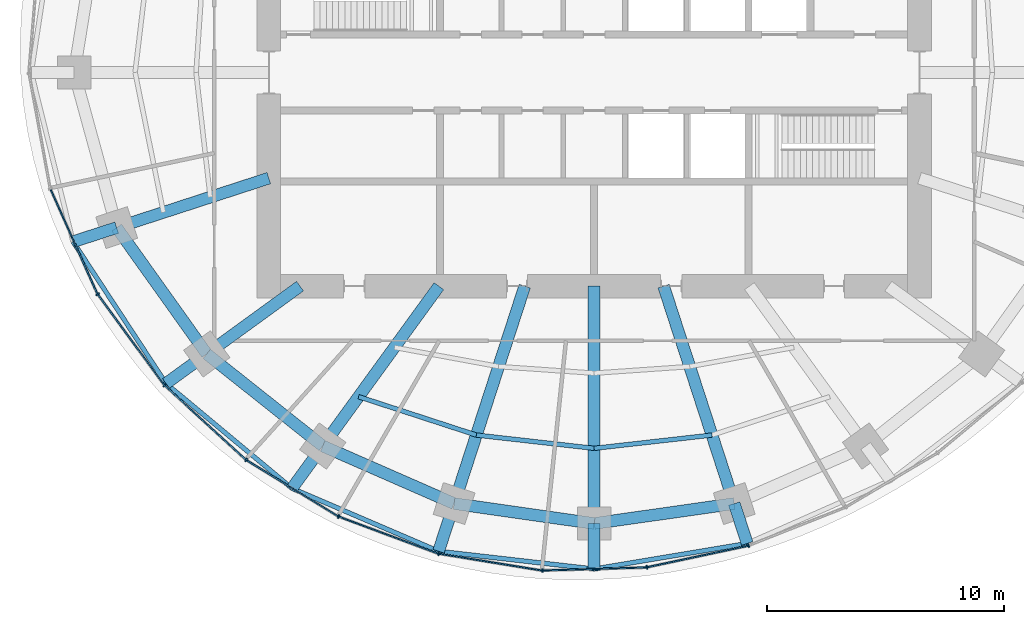
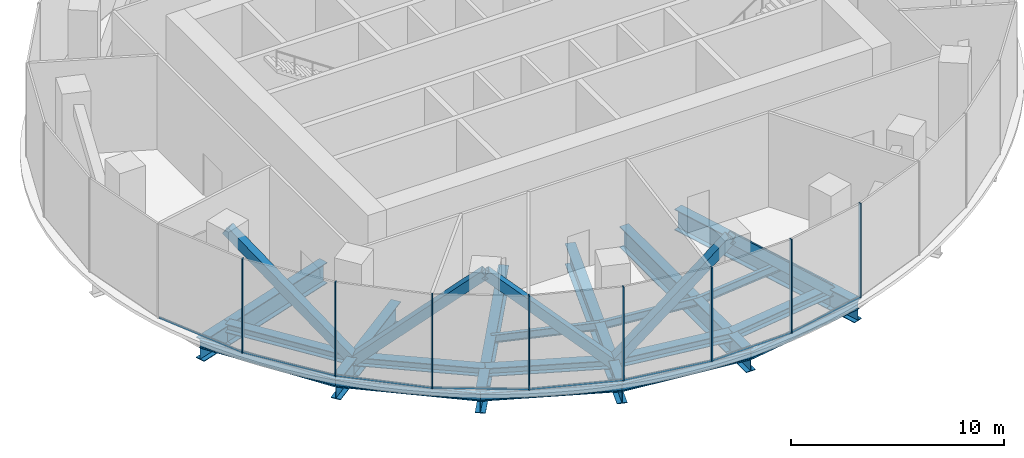
# One storey, part 2 of 13: 26 members, 20 beams, 2 elements without a shape of their own.
"""IFC4 building model written with IfcOpenShell, lengths in metres."""

from ifc_helpers import new_model, si_unit, direction, frame, origin, origin_2d, place, context, subcontext, project, spatial, rectangle, hollow_rectangle, i_section, extrude, material, material_profile, profile_set, type_object, element, aggregate, save


model = new_model("IFC4")

# Units and contexts
model_context = context("Model", 3, precision=1e-05, world=origin(), true_north=direction((0.0, 1.0)))
body_context = subcontext(model_context, "Body", "Model", "MODEL_VIEW")
ifc_project = project(units=[si_unit("LENGTHUNIT", "METRE"), si_unit("AREAUNIT", "SQUARE_METRE"), si_unit("VOLUMEUNIT", "CUBIC_METRE"), si_unit("PLANEANGLEUNIT", "RADIAN"), si_unit("MASSUNIT", "GRAM", prefix="KILO")], contexts=[model_context])

# Site, building, storey
site_placement = place(None, origin())
site = spatial("IfcSite", under=ifc_project, at=site_placement, CompositionType="ELEMENT")
building_placement = place(site_placement, origin())
building = spatial("IfcBuilding", under=site, at=building_placement, Name="Marramba Exchange Tower", CompositionType="ELEMENT")
storey_placement = place(building_placement, frame((0.0, 0.0, 246.199951171875)))
storey = spatial("IfcBuildingStorey", under=building, at=storey_placement, Name="L60", CompositionType="ELEMENT", Elevation=246.199951171875)

# Members
ifc_material_1 = material(Name="Steel AS/NZS 3679.2 grade 300", Category="steel")
ifc_material_profile_1 = material_profile(ifc_material_1, i_section(OverallWidth=0.5, OverallDepth=0.48388671875, WebThickness=0.02490234375, FlangeThickness=0.031982421875, at=origin_2d()), Name="500WC340")
ifc_profile_set_1 = profile_set([ifc_material_profile_1], Name="Steel AS/NZS 3679.2 grade 300")
member_type_1 = type_object("IfcMemberType", Name="Belt truss chord 500WC340", PredefinedType="CHORD", material=ifc_profile_set_1)
member_1_placement = place(storey_placement, frame((-20.109375, -6.533935546875, -0.44189453125), z_axis=(0.580637181111, -0.814162430914, 0.0), x_axis=(0.814162430914, 0.580637181111, 0.0)))
element("IfcMember", 1, at=member_1_placement, inside=storey, type_object=member_type_1, Name="Belt chord L60 TC12-TC13", PredefinedType="CHORD", context=body_context, shape_type="SweptSolid", body=[
    extrude(i_section(OverallWidth=0.5, OverallDepth=0.48388671875, WebThickness=0.02490234375, FlangeThickness=0.031982421875, at=origin_2d()), origin(), (0.0, 0.0, 1.0), 6.5341796875),
])
member_2_placement = place(storey_placement, frame((-16.3154296875, -11.853759765625, -0.44189453125), z_axis=(0.783139438128, -0.621846138887, 0.0), x_axis=(0.621846138887, 0.783139438128, 0.0)))
element("IfcMember", 2, at=member_2_placement, inside=storey, type_object=member_type_1, Name="Belt chord L60 TC13-TC14", PredefinedType="CHORD", context=body_context, shape_type="SweptSolid", body=[
    extrude(i_section(OverallWidth=0.5, OverallDepth=0.48388671875, WebThickness=0.02490234375, FlangeThickness=0.031982421875, at=origin_2d()), origin(), (0.0, 0.0, 1.0), 6.23779296875),
])
member_3_placement = place(storey_placement, frame((-11.430419921875, -15.732666015625, -0.44189453125), z_axis=(0.915876892158, -0.4014592363, 0.0), x_axis=(0.4014592363, 0.915876892158, 0.0)))
element("IfcMember", 3, at=member_3_placement, inside=storey, type_object=member_type_1, Name="Belt chord L60 TC14-TC15", PredefinedType="CHORD", context=body_context, shape_type="SweptSolid", body=[
    extrude(i_section(OverallWidth=0.5, OverallDepth=0.48388671875, WebThickness=0.02490234375, FlangeThickness=0.031982421875, at=origin_2d()), origin(), (0.0, 0.0, 1.0), 6.038818359375),
])
for number, where, z_axis, x_axis, name in (
    (4, (-5.899658203125, -18.156982421875, -0.44189453125), (0.990036163016, -0.140813337152, 0.0), (0.140813337152, 0.990036163016, 0.0), "Belt chord L60 TC15-TC16"),
    (5, (0.0, -18.99609375, -0.44189453125), (0.990036163016, 0.140813337152, 0.0), (-0.140813337152, 0.990036163016, 0.0), "Belt chord L60 TC16-TC17"),
):
    element("IfcMember", number, at=place(storey_placement, frame(where, z_axis=z_axis, x_axis=x_axis)), inside=storey, type_object=member_type_1, Name=name, PredefinedType="CHORD", context=body_context, shape_type="SweptSolid", body=[
        extrude(i_section(OverallWidth=0.5, OverallDepth=0.48388671875, WebThickness=0.02490234375, FlangeThickness=0.031982421875, at=origin_2d()), origin(), (0.0, 0.0, 1.0), 5.958984375),
    ])
ifc_material_2 = material(Name="Steel AS/NZS 3678 grade 350", Category="steel")
ifc_material_profile_2 = material_profile(ifc_material_2, hollow_rectangle(XDim=0.5, YDim=0.5, WallThickness=0.031982421875, at=origin_2d()), Name="500x500x32BOX")
ifc_profile_set_2 = profile_set([ifc_material_profile_2], Name="Steel AS/NZS 3678 grade 350")
member_type_2 = type_object("IfcMemberType", Name="Belt truss diagonal 500x500x32BOX", PredefinedType="BRACE", material=ifc_profile_set_2)
member_4_placement = place(storey_placement, frame((-20.109375, -6.533935546875, 5.157958984375), z_axis=(0.440879597365, -0.618196037746, -0.650737150885), x_axis=(0.814162430914, 0.580637181111, 0.0)))
element("IfcMember", 6, at=member_4_placement, inside=storey, type_object=member_type_2, Name="Belt truss BT60 diagonal 12", PredefinedType="BRACE", context=body_context, shape_type="SweptSolid", body=[
    extrude(hollow_rectangle(XDim=0.5, YDim=0.5, WallThickness=0.031982421875, at=origin_2d()), origin(), (0.0, 0.0, 1.0), 8.60546875),
])
member_5_placement = place(storey_placement, frame((-16.3154296875, -11.853759765625, -0.44189453125), z_axis=(0.582757533009, -0.462734353763, 0.668034861043), x_axis=(0.621846138887, 0.783139438128, 0.0)))
element("IfcMember", 7, at=member_5_placement, inside=storey, type_object=member_type_2, Name="Belt truss BT60 diagonal 13", PredefinedType="BRACE", context=body_context, shape_type="SweptSolid", body=[
    extrude(hollow_rectangle(XDim=0.5, YDim=0.5, WallThickness=0.031982421875, at=origin_2d()), origin(), (0.0, 0.0, 1.0), 8.382568359375),
])
member_6_placement = place(storey_placement, frame((-11.430419921875, -15.732666015625, 5.157958984375), z_axis=(0.67156810861, -0.294370588792, -0.679957522168), x_axis=(0.4014592363, 0.915876892158, 0.0)))
element("IfcMember", 8, at=member_6_placement, inside=storey, type_object=member_type_2, Name="Belt truss BT60 diagonal 14", PredefinedType="BRACE", context=body_context, shape_type="SweptSolid", body=[
    extrude(hollow_rectangle(XDim=0.5, YDim=0.5, WallThickness=0.031982421875, at=origin_2d()), origin(), (0.0, 0.0, 1.0), 8.235595703125),
])
for number, where, z_axis, x_axis, name in (
    (9, (-5.899658203125, -18.156982421875, -0.44189453125), (0.721466673774, -0.102614564774, 0.684803687), (0.140813337152, 0.990036163016, 0.0), "Belt truss BT60 diagonal 15"),
    (10, (0.0, -18.99609375, 5.157958984375), (0.721466673774, 0.102614564774, -0.684803687), (-0.140813337152, 0.990036163016, 0.0), "Belt truss BT60 diagonal 16"),
):
    element("IfcMember", number, at=place(storey_placement, frame(where, z_axis=z_axis, x_axis=x_axis)), inside=storey, type_object=member_type_2, Name=name, PredefinedType="BRACE", context=body_context, shape_type="SweptSolid", body=[
        extrude(hollow_rectangle(XDim=0.5, YDim=0.5, WallThickness=0.031982421875, at=origin_2d()), origin(), (0.0, 0.0, 1.0), 8.17724609375),
    ])

# Beams
ifc_material_profile_3 = material_profile(ifc_material_1, i_section(OverallWidth=0.5, OverallDepth=1.199951171875, WebThickness=0.01611328125, FlangeThickness=0.0400390625, at=origin_2d()), Name="1200WB455")
ifc_profile_set_3 = profile_set([ifc_material_profile_3], Name="Steel AS/NZS 3679.2 grade 300")
beam_type_1 = type_object("IfcBeamType", Name="Cantilever girder 1200WB455", PredefinedType="BEAM", material=ifc_profile_set_3)
beam_1_placement = place(storey_placement, frame((-20.109375, -6.533935546875, -0.800048828125), z_axis=(-0.951071238541, -0.308971680287, 0.0), x_axis=(0.308971680287, -0.951071238541, 0.0)))
element("IfcBeam", 11, at=beam_1_placement, inside=storey, type_object=beam_type_1, Name="Cantilever girder L60 TC12", PredefinedType="BEAM", context=body_context, shape_type="SweptSolid", body=[
    extrude(i_section(OverallWidth=0.5, OverallDepth=1.199951171875, WebThickness=0.01611328125, FlangeThickness=0.0400390625, at=origin_2d()), origin(), (0.0, 0.0, 1.0), 1.930419921875),
])
beam_2_placement = place(storey_placement, frame((-16.3154296875, -11.853759765625, -0.800048828125), z_axis=(-0.808969966943, -0.587849974555, 0.0), x_axis=(0.587849974555, -0.808969966943, 0.0)))
element("IfcBeam", 12, at=beam_2_placement, inside=storey, type_object=beam_type_1, Name="Cantilever girder L60 TC13", PredefinedType="BEAM", context=body_context, shape_type="SweptSolid", body=[
    extrude(i_section(OverallWidth=0.5, OverallDepth=1.199951171875, WebThickness=0.01611328125, FlangeThickness=0.0400390625, at=origin_2d()), origin(), (0.0, 0.0, 1.0), 2.12109375),
])
beam_3_placement = place(storey_placement, frame((-11.430419921875, -15.732666015625, -0.800048828125), z_axis=(-0.587789596657, -0.809013837992, 0.0), x_axis=(0.809013837992, -0.587789596657, 0.0)))
element("IfcBeam", 13, at=beam_3_placement, inside=storey, type_object=beam_type_1, Name="Cantilever girder L60 TC14", PredefinedType="BEAM", context=body_context, shape_type="SweptSolid", body=[
    extrude(i_section(OverallWidth=0.5, OverallDepth=1.199951171875, WebThickness=0.01611328125, FlangeThickness=0.0400390625, at=origin_2d()), origin(), (0.0, 0.0, 1.0), 2.203857421875),
])
beam_4_placement = place(storey_placement, frame((-5.899658203125, -18.156982421875, -0.800048828125), z_axis=(-0.308971068529, -0.951071437281, 0.0), x_axis=(0.951071437281, -0.308971068529, 0.0)))
element("IfcBeam", 14, at=beam_4_placement, inside=storey, type_object=beam_type_1, Name="Cantilever girder L60 TC15", PredefinedType="BEAM", context=body_context, shape_type="SweptSolid", body=[
    extrude(i_section(OverallWidth=0.5, OverallDepth=1.199951171875, WebThickness=0.01611328125, FlangeThickness=0.0400390625, at=origin_2d()), origin(), (0.0, 0.0, 1.0), 2.112060546875),
])
beam_5_placement = place(storey_placement, frame((0.0, -18.99609375, -0.800048828125), z_axis=(0.0, -1.0, 0.0), x_axis=(1.0, 0.0, 0.0)))
element("IfcBeam", 15, at=beam_5_placement, inside=storey, type_object=beam_type_1, Name="Cantilever girder L60 TC16", PredefinedType="BEAM", context=body_context, shape_type="SweptSolid", body=[
    extrude(i_section(OverallWidth=0.5, OverallDepth=1.199951171875, WebThickness=0.01611328125, FlangeThickness=0.0400390625, at=origin_2d()), origin(), (0.0, 0.0, 1.0), 1.917724609375),
])
beam_6_placement = place(storey_placement, frame((5.899658203125, -18.156982421875, -0.800048828125), z_axis=(0.308926813415, -0.951085813138, 0.0), x_axis=(0.951085813138, 0.308926813415, 0.0)))
element("IfcBeam", 16, at=beam_6_placement, inside=storey, type_object=beam_type_1, Name="Cantilever girder L60 TC17", PredefinedType="BEAM", context=body_context, shape_type="SweptSolid", body=[
    extrude(i_section(OverallWidth=0.5, OverallDepth=1.199951171875, WebThickness=0.01611328125, FlangeThickness=0.0400390625, at=origin_2d()), origin(), (0.0, 0.0, 1.0), 1.767822265625),
])
ifc_material_3 = material(Name="Steel AS/NZS 3679.1 grade 300", Category="steel")
ifc_material_profile_4 = material_profile(ifc_material_3, i_section(OverallWidth=0.19091796875, OverallDepth=0.4599609375, WebThickness=0.010009765625, FlangeThickness=0.01611328125, FilletRadius=0.011474609375, at=origin_2d()), Name="460UB82.1")
ifc_profile_set_4 = profile_set([ifc_material_profile_4], Name="Steel AS/NZS 3679.1 grade 300")
beam_type_2 = type_object("IfcBeamType", Name="Floor joist 460UB82.1", PredefinedType="JOIST", material=ifc_profile_set_4)
beam_7_placement = place(storey_placement, frame((-9.9208984375, -13.655029296875, -0.429931640625), z_axis=(0.950764024931, -0.309915744834, 0.0), x_axis=(0.309915744834, 0.950764024931, 0.0)))
element("IfcBeam", 17, at=beam_7_placement, inside=storey, type_object=beam_type_2, Name="Joist L60 bay 14 row 2", PredefinedType="JOIST", context=body_context, shape_type="SweptSolid", body=[
    extrude(i_section(OverallWidth=0.19091796875, OverallDepth=0.4599609375, WebThickness=0.010009765625, FlangeThickness=0.01611328125, FilletRadius=0.011474609375, at=origin_2d()), origin(), (0.0, 0.0, 1.0), 5.2158203125),
])
for number, where, z_axis, x_axis, name in (
    (18, (-4.9619140625, -15.271484375, -0.429931640625), (0.993712018573, -0.111966174106, 0.0), (0.111966174106, 0.993712018573, 0.0), "Joist L60 bay 15 row 2"),
    (19, (0.0, -15.83056640625, -0.429931640625), (0.993712018573, 0.111966174106, 0.0), (-0.111966174106, 0.993712018573, 0.0), "Joist L60 bay 16 row 2"),
):
    element("IfcBeam", number, at=place(storey_placement, frame(where, z_axis=z_axis, x_axis=x_axis)), inside=storey, type_object=beam_type_2, Name=name, PredefinedType="JOIST", context=body_context, shape_type="SweptSolid", body=[
        extrude(i_section(OverallWidth=0.19091796875, OverallDepth=0.4599609375, WebThickness=0.010009765625, FlangeThickness=0.01611328125, FilletRadius=0.011474609375, at=origin_2d()), origin(), (0.0, 0.0, 1.0), 4.993408203125),
    ])

# Curtain wall, members
ifc_material_4 = material(Name="Aluminium framing, bronze anodised", Category="aluminium")
curtain_wall_type = type_object("IfcCurtainWallType", Name="Plant floor louvred curtain wall", PredefinedType="USERDEFINED", material=ifc_material_4)
curtain_wall_1_placement = place(storey_placement, origin())
curtain_wall_1 = element("IfcCurtainWall", 20, at=curtain_wall_1_placement, inside=storey, type_object=curtain_wall_type, Name="Curtain wall CW6 L60 F16-F20", ObjectType="RIBBON CURTAIN WALL", PredefinedType="USERDEFINED")
ifc_material_5 = material(Name="Aluminium mullion, bronze anodised", Category="aluminium")
ifc_material_profile_5 = material_profile(ifc_material_5, rectangle(XDim=0.159912109375, YDim=0.06005859375, at=origin_2d()), Name="CW6 mullion 60x160")
ifc_profile_set_5 = profile_set([ifc_material_profile_5], Name="Aluminium mullion, bronze anodised")
member_type_3 = type_object("IfcMemberType", Name="Plant floor louvred curtain wall mullion", PredefinedType="MULLION", material=ifc_profile_set_5)
member_7_placement = place(storey_placement, frame((-20.910400390625, -9.342041015625, 0.0), z_axis=(0.0, 0.0, 1.0), x_axis=(0.806508054547, 0.591223103363, 0.0)))
member_7 = element("IfcMember", 21, at=member_7_placement, type_object=member_type_3, Name="CW6 mullion 1", PredefinedType="MULLION", context=body_context, shape_type="SweptSolid", body=[
    extrude(rectangle(XDim=0.159912109375, YDim=0.06005859375, at=origin_2d()), origin(), (0.0, 0.0, 1.0), 5.400146484375),
])
member_8_placement = place(storey_placement, frame((-18.090087890625, -13.179443359375, 0.0), z_axis=(0.0, 0.0, 1.0), x_axis=(0.67567103474, 0.737203264245, 0.0)))
member_8 = element("IfcMember", 22, at=member_8_placement, type_object=member_type_3, Name="CW6 mullion 1", PredefinedType="MULLION", context=body_context, shape_type="SweptSolid", body=[
    extrude(rectangle(XDim=0.159912109375, YDim=0.06005859375, at=origin_2d()), origin(), (0.0, 0.0, 1.0), 5.400146484375),
])
member_9_placement = place(storey_placement, frame((-14.655029296875, -16.320068359375, 0.0), z_axis=(0.0, 0.0, 1.0), x_axis=(0.52305160869, 0.85230101176, 0.0)))
member_9 = element("IfcMember", 23, at=member_9_placement, type_object=member_type_3, Name="CW6 mullion 1", PredefinedType="MULLION", context=body_context, shape_type="SweptSolid", body=[
    extrude(rectangle(XDim=0.159912109375, YDim=0.06005859375, at=origin_2d()), origin(), (0.0, 0.0, 1.0), 5.400146484375),
])

curtain_wall_2_placement = place(storey_placement, origin())
curtain_wall_2 = element("IfcCurtainWall", 24, at=curtain_wall_2_placement, inside=storey, type_object=curtain_wall_type, Name="Curtain wall CW6 L60 F21-F25", ObjectType="RIBBON CURTAIN WALL", PredefinedType="USERDEFINED")
member_10_placement = place(storey_placement, frame((-10.76318359375, -18.70166015625, 0.0), z_axis=(0.0, 0.0, 1.0), x_axis=(0.349459197687, 0.936951583142, 0.0)))
member_10 = element("IfcMember", 25, at=member_10_placement, type_object=member_type_3, Name="CW6 mullion 1", PredefinedType="MULLION", context=body_context, shape_type="SweptSolid", body=[
    extrude(rectangle(XDim=0.159912109375, YDim=0.06005859375, at=origin_2d()), origin(), (0.0, 0.0, 1.0), 5.400146484375),
])
member_11_placement = place(storey_placement, frame((-6.553466796875, -20.265625, 0.0), z_axis=(0.0, 0.0, 1.0), x_axis=(0.161145726194, 0.986930623159, 0.0)))
member_11 = element("IfcMember", 26, at=member_11_placement, type_object=member_type_3, Name="CW6 mullion 1", PredefinedType="MULLION", context=body_context, shape_type="SweptSolid", body=[
    extrude(rectangle(XDim=0.159912109375, YDim=0.06005859375, at=origin_2d()), origin(), (0.0, 0.0, 1.0), 5.400146484375),
])
member_12_placement = place(storey_placement, frame((-2.174560546875, -20.974853515625, 0.0), z_axis=(0.0, 0.0, 1.0), x_axis=(-0.029393451762, 0.99956791915, 0.0)))
member_12 = element("IfcMember", 27, at=member_12_placement, type_object=member_type_3, Name="CW6 mullion 1", PredefinedType="MULLION", context=body_context, shape_type="SweptSolid", body=[
    extrude(rectangle(XDim=0.159912109375, YDim=0.06005859375, at=origin_2d()), origin(), (0.0, 0.0, 1.0), 5.400146484375),
])
member_13_placement = place(storey_placement, frame((2.220458984375, -20.840087890625, 0.0), z_axis=(0.0, 0.0, 1.0), x_axis=(-0.208332456608, 0.978058069607, 0.0)))
member_13 = element("IfcMember", 28, at=member_13_placement, type_object=member_type_3, Name="CW6 mullion 1", PredefinedType="MULLION", context=body_context, shape_type="SweptSolid", body=[
    extrude(rectangle(XDim=0.159912109375, YDim=0.06005859375, at=origin_2d()), origin(), (0.0, 0.0, 1.0), 5.400146484375),
])
member_14_placement = place(storey_placement, frame((6.504638671875, -19.922607421875, 0.0), z_axis=(0.0, 0.0, 1.0), x_axis=(-0.367374724195, 0.93007301435, 0.0)))
member_14 = element("IfcMember", 29, at=member_14_placement, type_object=member_type_3, Name="CW6 mullion 1", PredefinedType="MULLION", context=body_context, shape_type="SweptSolid", body=[
    extrude(rectangle(XDim=0.159912109375, YDim=0.06005859375, at=origin_2d()), origin(), (0.0, 0.0, 1.0), 5.400146484375),
])

# Member
ifc_material_6 = material(Name="Aluminium transom, bronze anodised", Category="aluminium")
ifc_material_profile_6 = material_profile(ifc_material_6, rectangle(XDim=0.06005859375, YDim=0.1201171875, at=origin_2d()), Name="CW6 transom 60x120")
ifc_profile_set_6 = profile_set([ifc_material_profile_6], Name="Aluminium transom, bronze anodised")
member_type_4 = type_object("IfcMemberType", Name="Plant floor louvred curtain wall transom", PredefinedType="USERDEFINED", material=ifc_profile_set_6)
member_15_placement = place(storey_placement, frame((-22.888671875, -4.925048828125, 0.030029296875), z_axis=(0.407541263131, -0.913186792965, 0.0), x_axis=(0.913186792965, 0.407541263131, 0.0)))
member_15 = element("IfcMember", 30, at=member_15_placement, type_object=member_type_4, Name="CW6 sill transom", ObjectType="TRANSOM", PredefinedType="USERDEFINED", context=body_context, shape_type="SweptSolid", body=[
    extrude(rectangle(XDim=0.06005859375, YDim=0.1201171875, at=origin_2d()), origin(), (0.0, 0.0, 1.0), 4.810546875),
])

member_16_placement = place(storey_placement, frame((-20.892578125, -9.3662109375, 0.030029296875), z_axis=(0.591226373184, -0.806505657545, 0.0), x_axis=(0.806505657545, 0.591226373184, 0.0)))
member_16 = element("IfcMember", 31, at=member_16_placement, type_object=member_type_4, Name="CW6 sill transom", ObjectType="TRANSOM", PredefinedType="USERDEFINED", context=body_context, shape_type="SweptSolid", body=[
    extrude(rectangle(XDim=0.06005859375, YDim=0.1201171875, at=origin_2d()), origin(), (0.0, 0.0, 1.0), 4.702880859375),
])

member_17_placement = place(storey_placement, frame((-18.06787109375, -13.19970703125, 0.030029296875), z_axis=(0.737176195283, -0.675700567639, 0.0), x_axis=(0.675700567639, 0.737176195283, 0.0)))
member_17 = element("IfcMember", 32, at=member_17_placement, type_object=member_type_4, Name="CW6 sill transom", ObjectType="TRANSOM", PredefinedType="USERDEFINED", context=body_context, shape_type="SweptSolid", body=[
    extrude(rectangle(XDim=0.06005859375, YDim=0.1201171875, at=origin_2d()), origin(), (0.0, 0.0, 1.0), 4.5947265625),
])

member_18_placement = place(storey_placement, frame((-14.62939453125, -16.335693359375, 0.030029296875), z_axis=(0.852298011003, -0.523056498325, 0.0), x_axis=(0.523056498325, 0.852298011003, 0.0)))
member_18 = element("IfcMember", 33, at=member_18_placement, type_object=member_type_4, Name="CW6 sill transom", ObjectType="TRANSOM", PredefinedType="USERDEFINED", context=body_context, shape_type="SweptSolid", body=[
    extrude(rectangle(XDim=0.06005859375, YDim=0.1201171875, at=origin_2d()), origin(), (0.0, 0.0, 1.0), 4.503173828125),
])

aggregate(curtain_wall_1, [member_15, member_7, member_16, member_8, member_17, member_9, member_18])

member_19_placement = place(storey_placement, frame((-10.735107421875, -18.712158203125, 0.030029296875), z_axis=(0.936954830677, -0.349450490444, 0.0), x_axis=(0.349450490444, 0.936954830677, 0.0)))
member_19 = element("IfcMember", 34, at=member_19_placement, type_object=member_type_4, Name="CW6 sill transom", ObjectType="TRANSOM", PredefinedType="USERDEFINED", context=body_context, shape_type="SweptSolid", body=[
    extrude(rectangle(XDim=0.06005859375, YDim=0.1201171875, at=origin_2d()), origin(), (0.0, 0.0, 1.0), 4.431396484375),
])

member_20_placement = place(storey_placement, frame((-6.52392578125, -20.2705078125, 0.030029296875), z_axis=(0.986937225488, -0.161105285282, 0.0), x_axis=(0.161105285282, 0.986937225488, 0.0)))
member_20 = element("IfcMember", 35, at=member_20_placement, type_object=member_type_4, Name="CW6 sill transom", ObjectType="TRANSOM", PredefinedType="USERDEFINED", context=body_context, shape_type="SweptSolid", body=[
    extrude(rectangle(XDim=0.06005859375, YDim=0.1201171875, at=origin_2d()), origin(), (0.0, 0.0, 1.0), 4.37646484375),
])

member_21_placement = place(storey_placement, frame((-2.144775390625, -20.973876953125, 0.030029296875), z_axis=(0.999568338005, 0.029379204529, 0.0), x_axis=(-0.029379204529, 0.999568338005, 0.0)))
member_21 = element("IfcMember", 36, at=member_21_placement, type_object=member_type_4, Name="CW6 sill transom", ObjectType="TRANSOM", PredefinedType="USERDEFINED", context=body_context, shape_type="SweptSolid", body=[
    extrude(rectangle(XDim=0.06005859375, YDim=0.1201171875, at=origin_2d()), origin(), (0.0, 0.0, 1.0), 4.337890625),
])

member_22_placement = place(storey_placement, frame((2.249755859375, -20.833984375, 0.030029296875), z_axis=(0.978057951839, 0.208333009494, 0.0), x_axis=(-0.208333009494, 0.978057951839, 0.0)))
member_22 = element("IfcMember", 37, at=member_22_placement, type_object=member_type_4, Name="CW6 sill transom", ObjectType="TRANSOM", PredefinedType="USERDEFINED", context=body_context, shape_type="SweptSolid", body=[
    extrude(rectangle(XDim=0.06005859375, YDim=0.1201171875, at=origin_2d()), origin(), (0.0, 0.0, 1.0), 4.32177734375),
])

aggregate(curtain_wall_2, [member_10, member_19, member_11, member_20, member_12, member_21, member_13, member_22, member_14])

# Beams
ifc_material_profile_7 = material_profile(ifc_material_1, i_section(OverallWidth=0.5, OverallDepth=1.199951171875, WebThickness=0.01611328125, FlangeThickness=0.0400390625, at=origin_2d()), Name="1200WB455")
ifc_profile_set_7 = profile_set([ifc_material_profile_7], Name="Steel AS/NZS 3679.2 grade 300")
beam_type_3 = type_object("IfcBeamType", Name="Radial girder 1200WB455", PredefinedType="BEAM", material=ifc_profile_set_7)
beam_8_placement = place(storey_placement, frame((-13.699951171875, -4.451416015625, -0.800048828125), z_axis=(-0.951057759669, -0.309013167637, 0.0), x_axis=(0.309013167637, -0.951057759669, 0.0)))
element("IfcBeam", 38, at=beam_8_placement, inside=storey, type_object=beam_type_3, Name="Radial girder L60 TC12", PredefinedType="BEAM", context=body_context, shape_type="SweptSolid", body=[
    extrude(i_section(OverallWidth=0.5, OverallDepth=1.199951171875, WebThickness=0.01611328125, FlangeThickness=0.0400390625, at=origin_2d()), origin(), (0.0, 0.0, 1.0), 6.7392578125),
])
beam_9_placement = place(storey_placement, frame((-12.387451171875, -9.0, -0.800048828125), z_axis=(-0.809025189606, -0.58777397236, 0.0), x_axis=(0.58777397236, -0.809025189606, 0.0)))
element("IfcBeam", 39, at=beam_9_placement, inside=storey, type_object=beam_type_3, Name="Radial girder L60 TC13", PredefinedType="BEAM", context=body_context, shape_type="SweptSolid", body=[
    extrude(i_section(OverallWidth=0.5, OverallDepth=1.199951171875, WebThickness=0.01611328125, FlangeThickness=0.0400390625, at=origin_2d()), origin(), (0.0, 0.0, 1.0), 4.855224609375),
])
beam_10_placement = place(storey_placement, frame((-6.538818359375, -9.0, -0.800048828125), z_axis=(-0.587787877172, -0.809015087282, 0.0), x_axis=(0.809015087282, -0.587787877172, 0.0)))
element("IfcBeam", 40, at=beam_10_placement, inside=storey, type_object=beam_type_3, Name="Radial girder L60 TC14", PredefinedType="BEAM", context=body_context, shape_type="SweptSolid", body=[
    extrude(i_section(OverallWidth=0.5, OverallDepth=1.199951171875, WebThickness=0.01611328125, FlangeThickness=0.0400390625, at=origin_2d()), origin(), (0.0, 0.0, 1.0), 8.322021484375),
])
beam_11_placement = place(storey_placement, frame((-2.92431640625, -9.0, -0.800048828125), z_axis=(-0.309022428985, -0.951054750466, 0.0), x_axis=(0.951054750466, -0.309022428985, 0.0)))
element("IfcBeam", 41, at=beam_11_placement, inside=storey, type_object=beam_type_3, Name="Radial girder L60 TC15", PredefinedType="BEAM", context=body_context, shape_type="SweptSolid", body=[
    extrude(i_section(OverallWidth=0.5, OverallDepth=1.199951171875, WebThickness=0.01611328125, FlangeThickness=0.0400390625, at=origin_2d()), origin(), (0.0, 0.0, 1.0), 9.628173828125),
])
beam_12_placement = place(storey_placement, frame((0.0, -9.0, -0.800048828125), z_axis=(0.0, -1.0, 0.0), x_axis=(1.0, 0.0, 0.0)))
element("IfcBeam", 42, at=beam_12_placement, inside=storey, type_object=beam_type_3, Name="Radial girder L60 TC16", PredefinedType="BEAM", context=body_context, shape_type="SweptSolid", body=[
    extrude(i_section(OverallWidth=0.5, OverallDepth=1.199951171875, WebThickness=0.01611328125, FlangeThickness=0.0400390625, at=origin_2d()), origin(), (0.0, 0.0, 1.0), 9.99609375),
])
beam_13_placement = place(storey_placement, frame((2.92431640625, -9.0, -0.800048828125), z_axis=(0.309022428985, -0.951054750466, 0.0), x_axis=(0.951054750466, 0.309022428985, 0.0)))
element("IfcBeam", 43, at=beam_13_placement, inside=storey, type_object=beam_type_3, Name="Radial girder L60 TC17", PredefinedType="BEAM", context=body_context, shape_type="SweptSolid", body=[
    extrude(i_section(OverallWidth=0.5, OverallDepth=1.199951171875, WebThickness=0.01611328125, FlangeThickness=0.0400390625, at=origin_2d()), origin(), (0.0, 0.0, 1.0), 9.628173828125),
])
ifc_material_profile_8 = material_profile(ifc_material_3, i_section(OverallWidth=0.19091796875, OverallDepth=0.4599609375, WebThickness=0.010009765625, FlangeThickness=0.01611328125, FilletRadius=0.011474609375, at=origin_2d()), Name="460UB82.1")
ifc_profile_set_8 = profile_set([ifc_material_profile_8], Name="Steel AS/NZS 3679.1 grade 300")
beam_type_4 = type_object("IfcBeamType", Name="Slab edge beam 460UB82.1", PredefinedType="SPANDREL", material=ifc_profile_set_8)
beam_14_placement = place(storey_placement, frame((-21.9453125, -7.13037109375, -0.429931640625), z_axis=(0.548275412052, -0.83629783722, 0.0), x_axis=(0.83629783722, 0.548275412052, 0.0)))
element("IfcBeam", 44, at=beam_14_placement, inside=storey, type_object=beam_type_4, Name="Slab edge beam L60 TC12-TC13", PredefinedType="SPANDREL", context=body_context, shape_type="SweptSolid", body=[
    extrude(i_section(OverallWidth=0.19091796875, OverallDepth=0.4599609375, WebThickness=0.010009765625, FlangeThickness=0.01611328125, FilletRadius=0.011474609375, at=origin_2d()), origin(), (0.0, 0.0, 1.0), 7.138916015625),
])
beam_15_placement = place(storey_placement, frame((-18.03125, -13.1005859375, -0.429931640625), z_axis=(0.768658895231, -0.639658895649, 0.0), x_axis=(0.639658895649, 0.768658895231, 0.0)))
element("IfcBeam", 45, at=beam_15_placement, inside=storey, type_object=beam_type_4, Name="Slab edge beam L60 TC13-TC14", PredefinedType="SPANDREL", context=body_context, shape_type="SweptSolid", body=[
    extrude(i_section(OverallWidth=0.19091796875, OverallDepth=0.4599609375, WebThickness=0.010009765625, FlangeThickness=0.01611328125, FilletRadius=0.011474609375, at=origin_2d()), origin(), (0.0, 0.0, 1.0), 6.902099609375),
])
beam_16_placement = place(storey_placement, frame((-12.725830078125, -17.515625, -0.429931640625), z_axis=(0.9189117964, -0.394463065999, 0.0), x_axis=(0.394463065999, 0.9189117964, 0.0)))
element("IfcBeam", 46, at=beam_16_placement, inside=storey, type_object=beam_type_4, Name="Slab edge beam L60 TC14-TC15", PredefinedType="SPANDREL", context=body_context, shape_type="SweptSolid", body=[
    extrude(i_section(OverallWidth=0.19091796875, OverallDepth=0.4599609375, WebThickness=0.010009765625, FlangeThickness=0.01611328125, FilletRadius=0.011474609375, at=origin_2d()), origin(), (0.0, 0.0, 1.0), 6.71826171875),
])
beam_17_placement = place(storey_placement, frame((-6.55224609375, -20.165771484375, -0.429931640625), z_axis=(0.993546030009, -0.113429653325, 0.0), x_axis=(0.113429653325, 0.993546030009, 0.0)))
element("IfcBeam", 47, at=beam_17_placement, inside=storey, type_object=beam_type_4, Name="Slab edge beam L60 TC15-TC16", PredefinedType="SPANDREL", context=body_context, shape_type="SweptSolid", body=[
    extrude(i_section(OverallWidth=0.19091796875, OverallDepth=0.4599609375, WebThickness=0.010009765625, FlangeThickness=0.01611328125, FilletRadius=0.011474609375, at=origin_2d()), origin(), (0.0, 0.0, 1.0), 6.5947265625),
])
beam_18_placement = place(storey_placement, frame((0.0, -20.913818359375, -0.429931640625), z_axis=(0.986365637189, 0.164568617219, 0.0), x_axis=(-0.164568617219, 0.986365637189, 0.0)))
element("IfcBeam", 48, at=beam_18_placement, inside=storey, type_object=beam_type_4, Name="Slab edge beam L60 TC16-TC17", PredefinedType="SPANDREL", context=body_context, shape_type="SweptSolid", body=[
    extrude(i_section(OverallWidth=0.19091796875, OverallDepth=0.4599609375, WebThickness=0.010009765625, FlangeThickness=0.01611328125, FilletRadius=0.011474609375, at=origin_2d()), origin(), (0.0, 0.0, 1.0), 6.534912109375),
])

save(model, "model.ifc")
